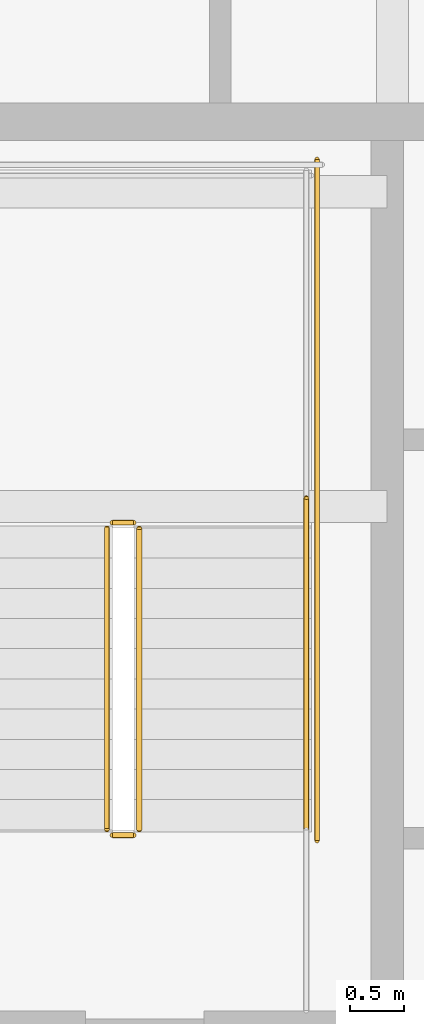
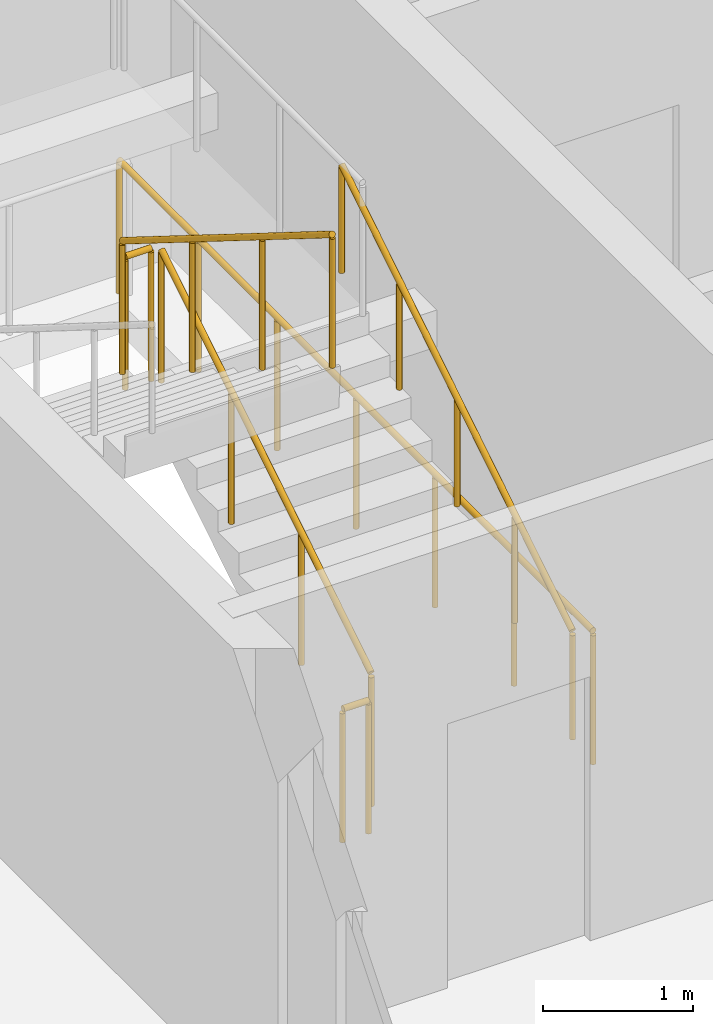
# One storey, part 34 of 38: 6 railings.
"""IFC4 building model written with IfcOpenShell, lengths in metres."""

from ifc_helpers import new_model, si_unit, direction, frame, origin, origin_2d, place, context, subcontext, project, spatial, circle, extrude, material, type_object, element, save


model = new_model("IFC4")

# Units and contexts
model_context = context("Model", 3, precision=1e-05, world=origin(), true_north=direction((0.0, 1.0)))
body_context = subcontext(model_context, "Body", "Model", "MODEL_VIEW")
ifc_project = project(units=[si_unit("LENGTHUNIT", "METRE"), si_unit("AREAUNIT", "SQUARE_METRE"), si_unit("VOLUMEUNIT", "CUBIC_METRE"), si_unit("PLANEANGLEUNIT", "RADIAN"), si_unit("MASSUNIT", "GRAM", prefix="KILO")], contexts=[model_context])

# Site, building, storey
site_placement = place(None, origin())
site = spatial("IfcSite", under=ifc_project, at=site_placement, CompositionType="ELEMENT")
building_placement = place(site_placement, origin())
building = spatial("IfcBuilding", under=site, at=building_placement, Name="Serunith Strait Residences", CompositionType="ELEMENT")
storey_placement = place(building_placement, frame((0.0, 0.0, 241.25)))
storey = spatial("IfcBuildingStorey", under=building, at=storey_placement, Name="L60", CompositionType="ELEMENT", Elevation=241.25)

# Railings
ifc_material = material(Name="Brushed stainless steel 316L", Category="steel")
railing_type_1 = type_object("IfcRailingType", Name="RLG-STAIR-GUARD", PredefinedType="BALUSTRADE", material=ifc_material)
railing_1_placement = place(storey_placement, frame((25.550048828125, 27.030029296875, 0.175048828125)))
element("IfcRailing", 1, at=railing_1_placement, inside=storey, type_object=railing_type_1, Name="L60 ST-1 stair guard 1", PredefinedType="BALUSTRADE", context=body_context, shape_type="SweptSolid", body=[
    extrude(circle(Radius=0.02392578125, at=origin_2d()), frame((0.0, 0.001708984375, 1.0771484375), z_axis=(0.0, 0.848002457836, 0.529992293815), x_axis=(-1.0, 0.0, 0.0)), (0.0, 0.0, 1.0), 3.2978515625),
    extrude(circle(Radius=0.02099609375, at=origin_2d()), origin(), (0.0, 0.0, 1.0), 1.050048828125),
    extrude(circle(Radius=0.02099609375, at=origin_2d()), frame((0.0, 0.933349609375, 0.583251953125)), (0.0, 0.0, 1.0), 1.050048828125),
    extrude(circle(Radius=0.02099609375, at=origin_2d()), frame((0.0, 1.86669921875, 1.166748046875)), (0.0, 0.0, 1.0), 1.050048828125),
    extrude(circle(Radius=0.02099609375, at=origin_2d()), frame((0.0, 2.800048828125, 1.75)), (0.0, 0.0, 1.0), 1.050048828125),
])
railing_2_placement = place(storey_placement, frame((25.5, 29.8798828125, 1.925048828125)))
element("IfcRailing", 2, at=railing_2_placement, inside=storey, type_object=railing_type_1, Name="L60 ST-1 stair guard 2", PredefinedType="BALUSTRADE", context=body_context, shape_type="SweptSolid", body=[
    extrude(circle(Radius=0.02392578125, at=origin_2d()), frame((-0.001953125, 0.0, 1.076171875), z_axis=(-1.0, 0.0, 0.0), x_axis=(0.0, -1.0, 0.0)), (0.0, 0.0, 1.0), 0.196044921875),
    extrude(circle(Radius=0.02099609375, at=origin_2d()), origin(), (0.0, 0.0, 1.0), 1.050048828125),
    extrude(circle(Radius=0.02099609375, at=origin_2d()), frame((-0.199951171875, 0.0, 0.0)), (0.0, 0.0, 1.0), 1.050048828125),
])
railing_3_placement = place(storey_placement, frame((25.25, 29.830078125, 2.10009765625)))
element("IfcRailing", 3, at=railing_3_placement, inside=storey, type_object=railing_type_1, Name="L60 ST-1 stair guard 6", PredefinedType="BALUSTRADE", context=body_context, shape_type="SweptSolid", body=[
    extrude(circle(Radius=0.02392578125, at=origin_2d()), frame((0.0, -0.001708984375, 1.0771484375), z_axis=(0.0, -0.848002457836, 0.529992293815), x_axis=(1.0, 0.0, 0.0)), (0.0, 0.0, 1.0), 3.2978515625),
    extrude(circle(Radius=0.02099609375, at=origin_2d()), origin(), (0.0, 0.0, 1.0), 1.050048828125),
    extrude(circle(Radius=0.02099609375, at=origin_2d()), frame((0.0, -0.933349609375, 0.583251953125)), (0.0, 0.0, 1.0), 1.050048828125),
    extrude(circle(Radius=0.02099609375, at=origin_2d()), frame((0.0, -1.86669921875, 1.166748046875)), (0.0, 0.0, 1.0), 1.050048828125),
    extrude(circle(Radius=0.02099609375, at=origin_2d()), frame((0.0, -2.800048828125, 1.75)), (0.0, 0.0, 1.0), 1.050048828125),
])
railing_4_placement = place(storey_placement, frame((25.5, 26.97998046875, 0.0)))
element("IfcRailing", 4, at=railing_4_placement, inside=storey, type_object=railing_type_1, Name="L60 ST-1 stair guard 7", PredefinedType="BALUSTRADE", context=body_context, shape_type="SweptSolid", body=[
    extrude(circle(Radius=0.02392578125, at=origin_2d()), frame((-0.001953125, 0.0, 1.076171875), z_axis=(-1.0, 0.0, 0.0), x_axis=(0.0, -1.0, 0.0)), (0.0, 0.0, 1.0), 0.196044921875),
    extrude(circle(Radius=0.02099609375, at=origin_2d()), origin(), (0.0, 0.0, 1.0), 1.050048828125),
    extrude(circle(Radius=0.02099609375, at=origin_2d()), frame((-0.199951171875, 0.0, 0.0)), (0.0, 0.0, 1.0), 1.050048828125),
])
railing_5_placement = place(storey_placement, frame((27.199951171875, 26.929931640625, 0.0)))
element("IfcRailing", 5, at=railing_5_placement, inside=storey, type_object=railing_type_1, Name="L60 ST-1 stair guard 10", PredefinedType="BALUSTRADE", context=body_context, shape_type="SweptSolid", body=[
    extrude(circle(Radius=0.02392578125, at=origin_2d()), frame((0.0, 0.001953125, 1.076171875), z_axis=(0.0, 1.0, 0.0), x_axis=(-1.0, 0.0, 0.0)), (0.0, 0.0, 1.0), 6.316162109375),
    extrude(circle(Radius=0.02099609375, at=origin_2d()), origin(), (0.0, 0.0, 1.0), 1.050048828125),
    extrude(circle(Radius=0.02099609375, at=origin_2d()), frame((0.0, 1.05322265625, 0.0)), (0.0, 0.0, 1.0), 1.050048828125),
    extrude(circle(Radius=0.02099609375, at=origin_2d()), frame((0.0, 2.106689453125, 0.0)), (0.0, 0.0, 1.0), 1.050048828125),
    extrude(circle(Radius=0.02099609375, at=origin_2d()), frame((0.0, 3.16015625, 0.0)), (0.0, 0.0, 1.0), 1.050048828125),
    extrude(circle(Radius=0.02099609375, at=origin_2d()), frame((0.0, 4.21337890625, 0.0)), (0.0, 0.0, 1.0), 1.050048828125),
    extrude(circle(Radius=0.02099609375, at=origin_2d()), frame((0.0, 5.2666015625, 0.0)), (0.0, 0.0, 1.0), 1.050048828125),
    extrude(circle(Radius=0.02099609375, at=origin_2d()), frame((0.0, 6.320068359375, 0.0)), (0.0, 0.0, 1.0), 1.050048828125),
])
railing_type_2 = type_object("IfcRailingType", Name="RLG-STAIR-HR", PredefinedType="HANDRAIL", material=ifc_material)
railing_6_placement = place(storey_placement, frame((27.10009765625, 27.030029296875, 0.175048828125)))
element("IfcRailing", 6, at=railing_6_placement, inside=storey, type_object=railing_type_2, Name="L60 ST-1 stair handrail 1", PredefinedType="HANDRAIL", context=body_context, shape_type="SweptSolid", body=[
    extrude(circle(Radius=0.02392578125, at=origin_2d()), frame((0.0, 0.001708984375, 0.876953125), z_axis=(0.0, 0.847393994688, 0.530964610654), x_axis=(-1.0, 0.0, 0.0)), (0.0, 0.0, 1.0), 3.630859375),
    extrude(circle(Radius=0.02099609375, at=origin_2d()), origin(), (0.0, 0.0, 1.0), 0.849853515625),
    extrude(circle(Radius=0.02099609375, at=origin_2d()), frame((0.0, 0.77001953125, 0.482421875)), (0.0, 0.0, 1.0), 0.849853515625),
    extrude(circle(Radius=0.02099609375, at=origin_2d()), frame((0.0, 1.5400390625, 0.96484375)), (0.0, 0.0, 1.0), 0.849853515625),
    extrude(circle(Radius=0.02099609375, at=origin_2d()), frame((0.0, 2.31005859375, 1.447509765625)), (0.0, 0.0, 1.0), 0.849853515625),
    extrude(circle(Radius=0.02099609375, at=origin_2d()), frame((0.0, 3.080078125, 1.929931640625)), (0.0, 0.0, 1.0), 0.849853515625),
])

save(model, "model.ifc")
